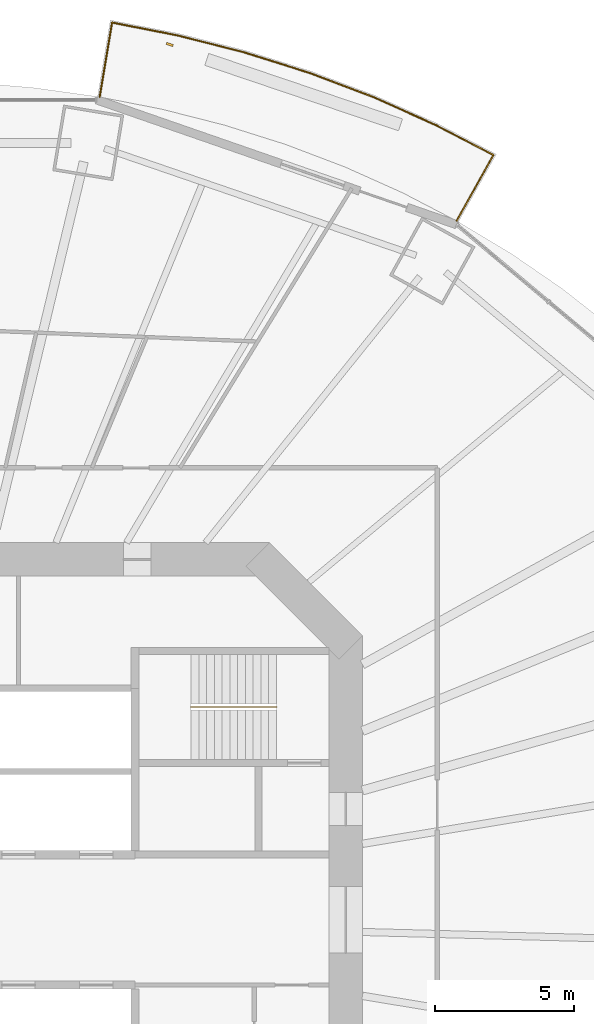
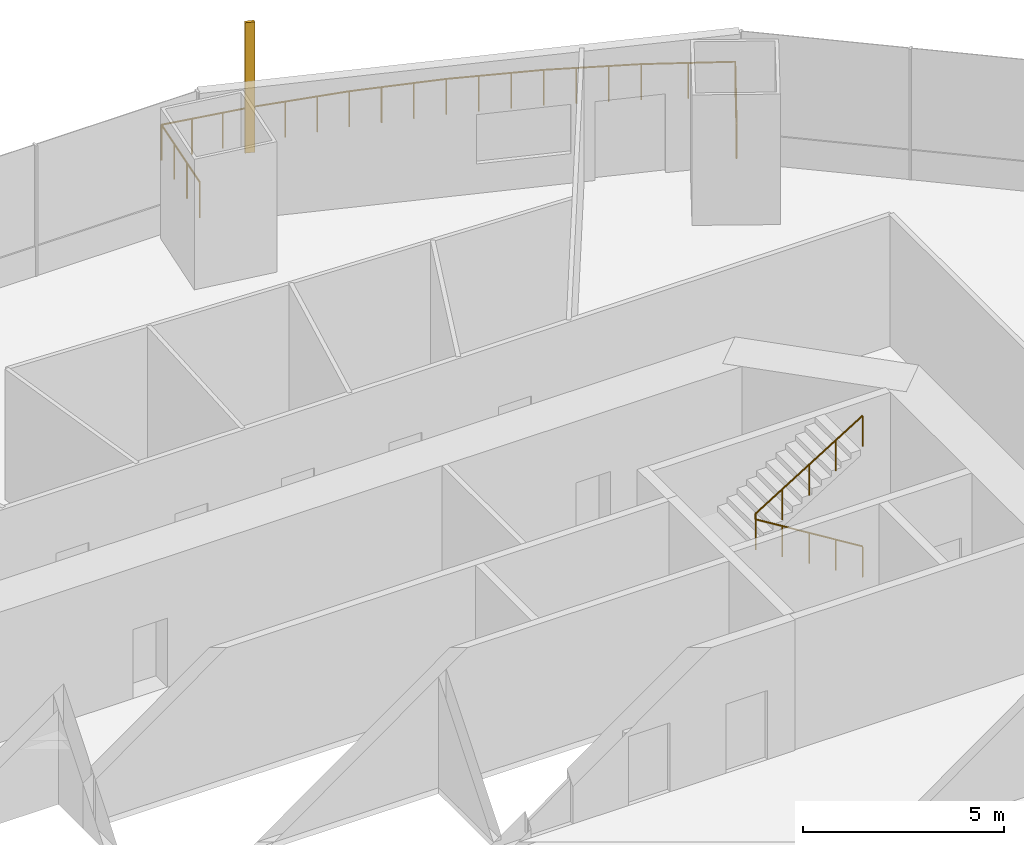
# One storey, part 21 of 23: 2 railings, 1 shading device.
"""IFC4 building model written with IfcOpenShell, lengths in metres."""

from ifc_helpers import new_model, si_unit, direction, frame, origin, origin_2d, place, context, subcontext, project, spatial, rectangle, circle, extrude, material, material_profile, profile_set, type_object, element, save


model = new_model("IFC4")

# Units and contexts
model_context = context("Model", 3, precision=1e-05, world=origin(), true_north=direction((0.0, 1.0)))
body_context = subcontext(model_context, "Body", "Model", "MODEL_VIEW")
ifc_project = project(units=[si_unit("LENGTHUNIT", "METRE"), si_unit("AREAUNIT", "SQUARE_METRE"), si_unit("VOLUMEUNIT", "CUBIC_METRE"), si_unit("PLANEANGLEUNIT", "RADIAN"), si_unit("MASSUNIT", "GRAM", prefix="KILO")], contexts=[model_context])

# Site, building, storey
site_placement = place(None, origin())
site = spatial("IfcSite", under=ifc_project, at=site_placement, CompositionType="ELEMENT")
building_placement = place(site_placement, origin())
building = spatial("IfcBuilding", under=site, at=building_placement, Name="Marenthal Gate Tower", CompositionType="ELEMENT")
storey_placement = place(building_placement, frame((0.0, 0.0, 66.199951171875)))
storey = spatial("IfcBuildingStorey", under=building, at=storey_placement, Name="L12", CompositionType="ELEMENT", Elevation=66.199951171875)

# Railings
ifc_material_1 = material(Name="Stainless steel", Category="steel")
railing_type_1 = type_object("IfcRailingType", Name="Balcony guard 1100", PredefinedType="GUARDRAIL", material=ifc_material_1)
railing_1_placement = place(storey_placement, frame((7.12451171875, 29.67431640625, 0.0)))
element("IfcRailing", 1, at=railing_1_placement, inside=storey, type_object=railing_type_1, Name="Balcony guard L12 bay 3", PredefinedType="GUARDRAIL", context=body_context, shape_type="SweptSolid", body=[
    extrude(circle(Radius=0.02392578125, at=origin_2d()), frame((0.0, 0.0, 1.076171875), z_axis=(0.164599482451, 0.986250661205, -0.014718819587), x_axis=(-0.986357511038, 0.164617315064, 0.0)), (0.0, 0.0, 1.0), 2.72021484375),
    extrude(circle(Radius=0.02392578125, at=origin_2d()), frame((0.44775390625, 2.682861328125, 1.0361328125), z_axis=(0.981247114518, -0.192753988932, 0.0), x_axis=(0.192753988932, 0.981247114518, 0.0)), (0.0, 0.0, 1.0), 2.416748046875),
    extrude(circle(Radius=0.02392578125, at=origin_2d()), frame((2.819091796875, 2.217041015625, 1.0361328125), z_axis=(0.969164557422, -0.24641440834, 0.0), x_axis=(0.24641440834, 0.969164557422, 0.0)), (0.0, 0.0, 1.0), 2.48681640625),
    extrude(circle(Radius=0.02392578125, at=origin_2d()), frame((5.229248046875, 1.604248046875, 1.0361328125), z_axis=(0.953670609563, -0.300852735495, 0.0), x_axis=(0.300852735495, 0.953670609563, 0.0)), (0.0, 0.0, 1.0), 2.474365234375),
    extrude(circle(Radius=0.02392578125, at=origin_2d()), frame((7.5888671875, 0.85986328125, 1.0361328125), z_axis=(0.934856725019, -0.355025215564, 0.0), x_axis=(0.355025215564, 0.934856725019, 0.0)), (0.0, 0.0, 1.0), 2.459716796875),
    extrude(circle(Radius=0.02392578125, at=origin_2d()), frame((9.888427734375, -0.013427734375, 1.0361328125), z_axis=(0.912604464389, -0.408843602833, 0.0), x_axis=(0.408843602833, 0.912604464389, 0.0)), (0.0, 0.0, 1.0), 2.443603515625),
    extrude(circle(Radius=0.02392578125, at=origin_2d()), frame((12.118408203125, -1.012451171875, 1.0361328125), z_axis=(0.887238949587, -0.461310141159, 0.0), x_axis=(0.461310141159, 0.887238949587, 0.0)), (0.0, 0.0, 1.0), 2.34619140625),
    extrude(circle(Radius=0.02392578125, at=origin_2d()), frame((14.199951171875, -2.0947265625, 1.0361328125), z_axis=(-0.488848293332, -0.872244641619, 0.014718399138), x_axis=(0.872339134705, -0.488901251851, 0.0)), (0.0, 0.0, 1.0), 2.720458984375),
    extrude(circle(Radius=0.02099609375, at=origin_2d()), origin(), (0.0, 0.0, 1.0), 1.052001953125),
    extrude(circle(Radius=0.02099609375, at=origin_2d()), frame((0.149169921875, 0.894287109375, -0.013427734375)), (0.0, 0.0, 1.0), 1.052001953125),
    extrude(circle(Radius=0.02099609375, at=origin_2d()), frame((0.298583984375, 1.78857421875, -0.026611328125)), (0.0, 0.0, 1.0), 1.052001953125),
    extrude(circle(Radius=0.02099609375, at=origin_2d()), frame((0.44775390625, 2.682861328125, -0.0400390625)), (0.0, 0.0, 1.0), 1.052001953125),
    extrude(circle(Radius=0.02099609375, at=origin_2d()), frame((1.23828125, 2.527587890625, -0.0400390625)), (0.0, 0.0, 1.0), 1.052001953125),
    extrude(circle(Radius=0.02099609375, at=origin_2d()), frame((2.028564453125, 2.372314453125, -0.0400390625)), (0.0, 0.0, 1.0), 1.052001953125),
    extrude(circle(Radius=0.02099609375, at=origin_2d()), frame((2.819091796875, 2.217041015625, -0.0400390625)), (0.0, 0.0, 1.0), 1.052001953125),
    extrude(circle(Radius=0.02099609375, at=origin_2d()), frame((3.62255859375, 2.0126953125, -0.0400390625)), (0.0, 0.0, 1.0), 1.052001953125),
    extrude(circle(Radius=0.02099609375, at=origin_2d()), frame((4.42578125, 1.80859375, -0.0400390625)), (0.0, 0.0, 1.0), 1.052001953125),
    extrude(circle(Radius=0.02099609375, at=origin_2d()), frame((5.229248046875, 1.604248046875, -0.0400390625)), (0.0, 0.0, 1.0), 1.052001953125),
    extrude(circle(Radius=0.02099609375, at=origin_2d()), frame((6.015869140625, 1.356201171875, -0.0400390625)), (0.0, 0.0, 1.0), 1.052001953125),
    extrude(circle(Radius=0.02099609375, at=origin_2d()), frame((6.80224609375, 1.10791015625, -0.0400390625)), (0.0, 0.0, 1.0), 1.052001953125),
    extrude(circle(Radius=0.02099609375, at=origin_2d()), frame((7.5888671875, 0.85986328125, -0.0400390625)), (0.0, 0.0, 1.0), 1.052001953125),
    extrude(circle(Radius=0.02099609375, at=origin_2d()), frame((8.35546875, 0.56884765625, -0.0400390625)), (0.0, 0.0, 1.0), 1.052001953125),
    extrude(circle(Radius=0.02099609375, at=origin_2d()), frame((9.121826171875, 0.277587890625, -0.0400390625)), (0.0, 0.0, 1.0), 1.052001953125),
    extrude(circle(Radius=0.02099609375, at=origin_2d()), frame((9.888427734375, -0.013427734375, -0.0400390625)), (0.0, 0.0, 1.0), 1.052001953125),
    extrude(circle(Radius=0.02099609375, at=origin_2d()), frame((10.6318359375, -0.346435546875, -0.0400390625)), (0.0, 0.0, 1.0), 1.052001953125),
    extrude(circle(Radius=0.02099609375, at=origin_2d()), frame((11.375, -0.679443359375, -0.0400390625)), (0.0, 0.0, 1.0), 1.052001953125),
    extrude(circle(Radius=0.02099609375, at=origin_2d()), frame((12.118408203125, -1.012451171875, -0.0400390625)), (0.0, 0.0, 1.0), 1.052001953125),
    extrude(circle(Radius=0.02099609375, at=origin_2d()), frame((13.1591796875, -1.5537109375, -0.0400390625)), (0.0, 0.0, 1.0), 1.052001953125),
    extrude(circle(Radius=0.02099609375, at=origin_2d()), frame((14.199951171875, -2.0947265625, -0.0400390625)), (0.0, 0.0, 1.0), 1.052001953125),
    extrude(circle(Radius=0.02099609375, at=origin_2d()), frame((13.756591796875, -2.8857421875, -0.026611328125)), (0.0, 0.0, 1.0), 1.052001953125),
    extrude(circle(Radius=0.02099609375, at=origin_2d()), frame((13.3134765625, -3.676513671875, -0.013427734375)), (0.0, 0.0, 1.0), 1.052001953125),
    extrude(circle(Radius=0.02099609375, at=origin_2d()), frame((12.8701171875, -4.467529296875, 0.0)), (0.0, 0.0, 1.0), 1.052001953125),
])
ifc_material_2 = material(Name="Stainless steel", Category="steel")
railing_type_2 = type_object("IfcRailingType", Name="Stair handrail", PredefinedType="HANDRAIL", material=ifc_material_2)
railing_2_placement = place(storey_placement, frame((13.5, 7.675048828125, 0.1728515625)))
element("IfcRailing", 2, at=railing_2_placement, inside=storey, type_object=railing_type_2, Name="Handrail ST3", PredefinedType="HANDRAIL", context=body_context, shape_type="SweptSolid", body=[
    extrude(circle(Radius=0.0224609375, at=origin_2d()), frame((0.0, 0.0, 0.927490234375), z_axis=(-0.850835241893, 0.0, 0.525432575268), x_axis=(0.0, -1.0, 0.0)), (0.0, 0.0, 1.0), 3.6201171875),
    extrude(circle(Radius=0.0224609375, at=origin_2d()), frame((-3.080078125, 0.0, 2.82958984375), z_axis=(0.0, 0.0, 1.0), x_axis=(1.0, 0.0, 0.0)), (0.0, 0.0, 1.0), 0.173095703125),
    extrude(circle(Radius=0.0224609375, at=origin_2d()), frame((-3.080078125, 0.0, 3.002685546875), z_axis=(0.850835241893, 0.0, 0.525432575268), x_axis=(0.0, 1.0, 0.0)), (0.0, 0.0, 1.0), 3.6201171875),
    extrude(circle(Radius=0.02001953125, at=origin_2d()), origin(), (0.0, 0.0, 1.0), 0.905029296875),
    extrude(circle(Radius=0.02001953125, at=origin_2d()), frame((-0.77001953125, 0.0, 0.4755859375)), (0.0, 0.0, 1.0), 0.905029296875),
    extrude(circle(Radius=0.02001953125, at=origin_2d()), frame((-1.5400390625, 0.0, 0.951171875)), (0.0, 0.0, 1.0), 0.905029296875),
    extrude(circle(Radius=0.02001953125, at=origin_2d()), frame((-2.31005859375, 0.0, 1.426513671875)), (0.0, 0.0, 1.0), 0.905029296875),
    extrude(circle(Radius=0.02001953125, at=origin_2d()), frame((-3.080078125, 0.0, 1.902099609375)), (0.0, 0.0, 1.0), 0.905029296875),
    extrude(circle(Radius=0.02001953125, at=origin_2d()), frame((-3.080078125, 0.0, 2.0751953125)), (0.0, 0.0, 1.0), 0.905029296875),
    extrude(circle(Radius=0.02001953125, at=origin_2d()), frame((-2.31005859375, 0.0, 2.55078125)), (0.0, 0.0, 1.0), 0.905029296875),
    extrude(circle(Radius=0.02001953125, at=origin_2d()), frame((-1.5400390625, 0.0, 3.0263671875)), (0.0, 0.0, 1.0), 0.905029296875),
    extrude(circle(Radius=0.02001953125, at=origin_2d()), frame((-0.77001953125, 0.0, 3.501708984375)), (0.0, 0.0, 1.0), 0.905029296875),
    extrude(circle(Radius=0.02001953125, at=origin_2d()), frame((0.0, 0.0, 3.977294921875)), (0.0, 0.0, 1.0), 0.905029296875),
])

# Shading device
ifc_material_3 = material(Name="Terracotta", Category="masonry")
ifc_material_profile = material_profile(ifc_material_3, rectangle(XDim=0.25, YDim=0.080078125, at=origin_2d()), Name="Terracotta baguette 250x80")
ifc_profile_set = profile_set([ifc_material_profile], Name="Terracotta")
shading_device_type = type_object("IfcShadingDeviceType", Name="Terracotta BAGUETTE SCREEN 250x80", PredefinedType="USERDEFINED", material=ifc_profile_set)
shading_device_placement = place(storey_placement, frame((9.651123046875, 31.56787109375, -0.0400390625), z_axis=(0.0, 0.0, 1.0), x_axis=(-0.944672154092, 0.32801603815, 0.0)))
element("IfcShadingDevice", 3, at=shading_device_placement, inside=storey, type_object=shading_device_type, Name="Terracotta BAGUETTE L12 bay 3R", ObjectType="BAGUETTE SCREEN", PredefinedType="USERDEFINED", context=body_context, shape_type="SweptSolid", body=[
    extrude(rectangle(XDim=0.25, YDim=0.080078125, at=origin_2d()), origin(), (0.0, 0.0, 1.0), 3.969970703125),
])

save(model, "model.ifc")
